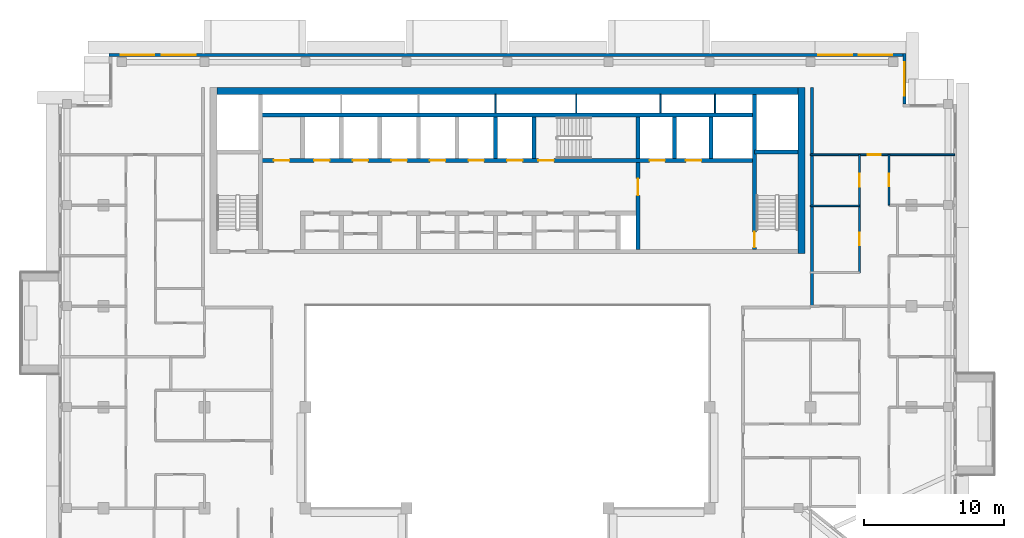
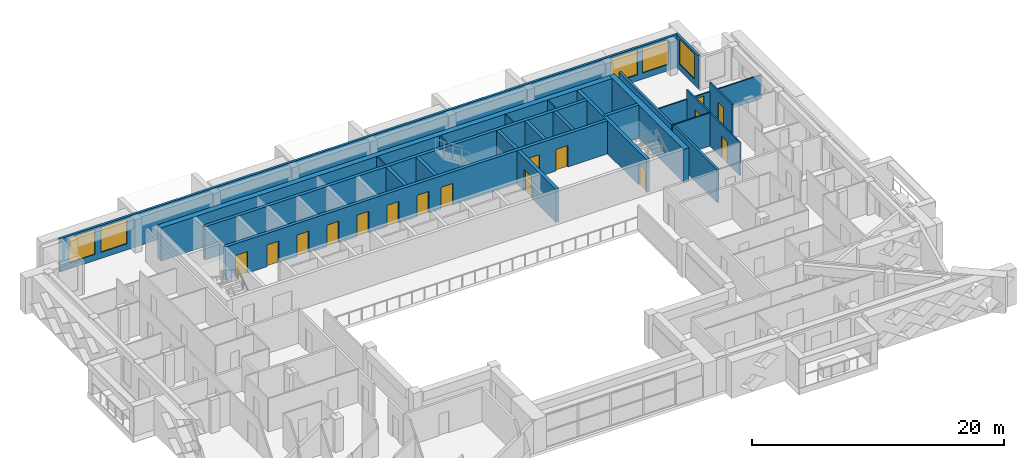
# One storey, part 11 of 19: 23 walls, 16 doors, 5 windows, 21 openings.
"""IFC4 building model written with IfcOpenShell, lengths in metres."""

from ifc_helpers import new_model, si_unit, direction, frame, frame_2d, origin, place, context, subcontext, project, spatial, rectangle, extrude, material, layer, layer_set, type_object, element, fill, save


model = new_model("IFC4")

# Units and contexts
model_context = context("Model", 3, precision=1e-05, world=origin(), true_north=direction((0.0, 1.0)))
body_context = subcontext(model_context, "Body", "Model", "MODEL_VIEW")
ifc_project = project(units=[si_unit("LENGTHUNIT", "METRE"), si_unit("AREAUNIT", "SQUARE_METRE"), si_unit("VOLUMEUNIT", "CUBIC_METRE"), si_unit("PLANEANGLEUNIT", "RADIAN"), si_unit("MASSUNIT", "GRAM", prefix="KILO")], contexts=[model_context])

# Site, building, storey
site_placement = place(None, origin())
site = spatial("IfcSite", under=ifc_project, at=site_placement, CompositionType="ELEMENT")
building_placement = place(site_placement, origin())
building = spatial("IfcBuilding", under=site, at=building_placement, Name="Saffron Iwan Residences", CompositionType="ELEMENT")
storey_placement = place(building_placement, frame((0.0, 0.0, 232.5)))
storey = spatial("IfcBuildingStorey", under=building, at=storey_placement, Name="L62", CompositionType="ELEMENT", Elevation=232.5)

# Wall, opening, window
ifc_material_1 = material(Name="Concrete C40/50", Category="concrete")
ifc_layer_1 = layer(ifc_material_1, 0.199951171875)
ifc_layer_set_1 = layer_set([ifc_layer_1], Name="Concrete C40/50")
wall_type_1 = type_object("IfcWallType", Name="EXTERNAL WALL 200", PredefinedType="SOLIDWALL", material=ifc_layer_set_1)
wall_1_placement = place(storey_placement, frame((78.699951171875, 76.800048828125, 0.0), z_axis=(0.0, 0.0, 1.0), x_axis=(0.0, 1.0, 0.0)))
wall_1 = element("IfcWall", 1, at=wall_1_placement, inside=storey, type_object=wall_type_1, Name="External wall L62 F4.0", PredefinedType="SOLIDWALL", context=body_context, shape_type="SweptSolid", body=[
    extrude(rectangle(XDim=3.599853515625, YDim=0.199951171875, at=frame_2d((1.7998046875, 0.0))), origin(), (0.0, 0.0, 1.0), 3.219970703125),
])
opening_1_placement = place(wall_1_placement, frame((0.60009765625, 0.0, 0.60009765625)))
opening_1 = element("IfcOpeningElement", 2, at=opening_1_placement, cuts=wall_1, Name="Opening W1", PredefinedType="OPENING", context=body_context, shape_type="SweptSolid", body=[
    extrude(rectangle(XDim=2.39990234375, YDim=2.39990234375, at=frame_2d((1.199951171875, 1.199951171875))), frame((0.0, 0.10986328125, 0.0), z_axis=(0.0, -1.0, 0.0), x_axis=(1.0, 0.0, 0.0)), (0.0, 0.0, 1.0), 0.219970703125),
])
ifc_material_2 = material(Name="Clear glass, laminated double glazed", Category="glass")
window_type = type_object("IfcWindowType", Name="WINDOW 2400 x 2400", PartitioningType="DOUBLE_PANEL_VERTICAL", PredefinedType="WINDOW", material=ifc_material_2)
window_1_placement = place(opening_1_placement, origin())
window_1 = element("IfcWindow", 3, at=window_1_placement, inside=storey, type_object=window_type, Name="Window L62 F4.0", OverallHeight=2.39990234375, OverallWidth=2.39990234375, PartitioningType="DOUBLE_PANEL_VERTICAL", PredefinedType="WINDOW", context=body_context, shape_type="SweptSolid", body=[
    extrude(rectangle(XDim=2.39990234375, YDim=2.39990234375, at=frame_2d((1.199951171875, 1.199951171875))), frame((0.0, 0.030029296875, 0.0), z_axis=(0.0, -1.0, 0.0), x_axis=(1.0, 0.0, 0.0)), (0.0, 0.0, 1.0), 0.06005859375),
])
fill(opening_1, window_1)

# Wall, openings, windows
wall_2_placement = place(storey_placement, frame((78.60009765625, 80.300048828125, 0.0), z_axis=(0.0, 0.0, 1.0), x_axis=(-1.0, 0.0, 0.0)))
wall_2 = element("IfcWall", 4, at=wall_2_placement, inside=storey, type_object=wall_type_1, Name="External wall L62 F5.0", PredefinedType="SOLIDWALL", context=body_context, shape_type="SweptSolid", body=[
    extrude(rectangle(XDim=56.60009765625, YDim=0.199951171875, at=frame_2d((28.300048828125, 0.0))), origin(), (0.0, 0.0, 1.0), 3.219970703125),
])
opening_2_placement = place(wall_2_placement, frame((50.433349609375, 0.0, 0.60009765625)))
opening_2 = element("IfcOpeningElement", 5, at=opening_2_placement, cuts=wall_2, Name="Opening W1", PredefinedType="OPENING", context=body_context, shape_type="SweptSolid", body=[
    extrude(rectangle(XDim=2.39990234375, YDim=2.39990234375, at=frame_2d((1.199951171875, 1.199951171875))), frame((0.0, 0.10986328125, 0.0), z_axis=(0.0, -1.0, 0.0), x_axis=(1.0, 0.0, 0.0)), (0.0, 0.0, 1.0), 0.219970703125),
])
opening_3_placement = place(wall_2_placement, frame((53.36669921875, 0.0, 0.60009765625)))
opening_3 = element("IfcOpeningElement", 6, at=opening_3_placement, cuts=wall_2, Name="Opening W1", PredefinedType="OPENING", context=body_context, shape_type="SweptSolid", body=[
    extrude(rectangle(XDim=2.39990234375, YDim=2.39990234375, at=frame_2d((1.199951171875, 1.199951171875))), frame((0.0, 0.10986328125, 0.0), z_axis=(0.0, -1.0, 0.0), x_axis=(1.0, 0.0, 0.0)), (0.0, 0.0, 1.0), 0.219970703125),
])
opening_4_placement = place(wall_2_placement, frame((0.7666015625, 0.0, 0.60009765625)))
opening_4 = element("IfcOpeningElement", 7, at=opening_4_placement, cuts=wall_2, Name="Opening W1", PredefinedType="OPENING", context=body_context, shape_type="SweptSolid", body=[
    extrude(rectangle(XDim=2.39990234375, YDim=2.39990234375, at=frame_2d((1.199951171875, 1.199951171875))), frame((0.0, 0.10986328125, 0.0), z_axis=(0.0, -1.0, 0.0), x_axis=(1.0, 0.0, 0.0)), (0.0, 0.0, 1.0), 0.219970703125),
])
opening_5_placement = place(wall_2_placement, frame((3.63330078125, 0.0, 0.60009765625)))
opening_5 = element("IfcOpeningElement", 8, at=opening_5_placement, cuts=wall_2, Name="Opening W1", PredefinedType="OPENING", context=body_context, shape_type="SweptSolid", body=[
    extrude(rectangle(XDim=2.39990234375, YDim=2.39990234375, at=frame_2d((1.199951171875, 1.199951171875))), frame((0.0, 0.10986328125, 0.0), z_axis=(0.0, -1.0, 0.0), x_axis=(1.0, 0.0, 0.0)), (0.0, 0.0, 1.0), 0.219970703125),
])
window_2_placement = place(opening_2_placement, origin())
window_2 = element("IfcWindow", 9, at=window_2_placement, inside=storey, type_object=window_type, Name="Window L62 F5.0", OverallHeight=2.39990234375, OverallWidth=2.39990234375, PartitioningType="DOUBLE_PANEL_VERTICAL", PredefinedType="WINDOW", context=body_context, shape_type="SweptSolid", body=[
    extrude(rectangle(XDim=2.39990234375, YDim=2.39990234375, at=frame_2d((1.199951171875, 1.199951171875))), frame((0.0, 0.030029296875, 0.0), z_axis=(0.0, -1.0, 0.0), x_axis=(1.0, 0.0, 0.0)), (0.0, 0.0, 1.0), 0.06005859375),
])
fill(opening_2, window_2)
window_3_placement = place(opening_3_placement, origin())
window_3 = element("IfcWindow", 10, at=window_3_placement, inside=storey, type_object=window_type, Name="Window L62 F5.1", OverallHeight=2.39990234375, OverallWidth=2.39990234375, PartitioningType="DOUBLE_PANEL_VERTICAL", PredefinedType="WINDOW", context=body_context, shape_type="SweptSolid", body=[
    extrude(rectangle(XDim=2.39990234375, YDim=2.39990234375, at=frame_2d((1.199951171875, 1.199951171875))), frame((0.0, 0.030029296875, 0.0), z_axis=(0.0, -1.0, 0.0), x_axis=(1.0, 0.0, 0.0)), (0.0, 0.0, 1.0), 0.06005859375),
])
fill(opening_3, window_3)
window_4_placement = place(opening_4_placement, origin())
window_4 = element("IfcWindow", 11, at=window_4_placement, inside=storey, type_object=window_type, Name="Window L62 F5.2", OverallHeight=2.39990234375, OverallWidth=2.39990234375, PartitioningType="DOUBLE_PANEL_VERTICAL", PredefinedType="WINDOW", context=body_context, shape_type="SweptSolid", body=[
    extrude(rectangle(XDim=2.39990234375, YDim=2.39990234375, at=frame_2d((1.199951171875, 1.199951171875))), frame((0.0, 0.030029296875, 0.0), z_axis=(0.0, -1.0, 0.0), x_axis=(1.0, 0.0, 0.0)), (0.0, 0.0, 1.0), 0.06005859375),
])
fill(opening_4, window_4)
window_5_placement = place(opening_5_placement, origin())
window_5 = element("IfcWindow", 12, at=window_5_placement, inside=storey, type_object=window_type, Name="Window L62 F5.3", OverallHeight=2.39990234375, OverallWidth=2.39990234375, PartitioningType="DOUBLE_PANEL_VERTICAL", PredefinedType="WINDOW", context=body_context, shape_type="SweptSolid", body=[
    extrude(rectangle(XDim=2.39990234375, YDim=2.39990234375, at=frame_2d((1.199951171875, 1.199951171875))), frame((0.0, 0.030029296875, 0.0), z_axis=(0.0, -1.0, 0.0), x_axis=(1.0, 0.0, 0.0)), (0.0, 0.0, 1.0), 0.06005859375),
])
fill(opening_5, window_5)

# Wall
ifc_material_3 = material(Name="Gypsum board partition")
ifc_layer_2 = layer(ifc_material_3, 0.1201171875)
ifc_layer_set_2 = layer_set([ifc_layer_2], Name="Gypsum board partition")
wall_type_2 = type_object("IfcWallType", Name="Flat partition 120", PredefinedType="PARTITIONING", material=ifc_layer_set_2)
wall_3_placement = place(storey_placement, frame((72.0, 69.550048828125, 0.0), z_axis=(0.0, 0.0, 1.0), x_axis=(1.0, 0.0, 0.0)))
element("IfcWall", 13, at=wall_3_placement, inside=storey, type_object=wall_type_2, Name="W-L62-PART-h69.55-72", PredefinedType="PARTITIONING", context=body_context, shape_type="SweptSolid", body=[
    extrude(rectangle(XDim=3.5, YDim=0.1201171875, at=frame_2d((1.75, 0.0))), origin(), (0.0, 0.0, 1.0), 3.219970703125),
])

# Wall, opening, door
wall_4_placement = place(storey_placement, frame((72.0, 73.199951171875, 0.0), z_axis=(0.0, 0.0, 1.0), x_axis=(1.0, 0.0, 0.0)))
wall_4 = element("IfcWall", 14, at=wall_4_placement, inside=storey, type_object=wall_type_2, Name="W-L62-PART-h73.2-72", PredefinedType="PARTITIONING", context=body_context, shape_type="SweptSolid", body=[
    extrude(rectangle(XDim=10.27490234375, YDim=0.1201171875, at=frame_2d((5.137451171875, 0.0))), origin(), (0.0, 0.0, 1.0), 2.320068359375),
])
opening_6_placement = place(wall_4_placement, frame((4.10009765625, 0.0, 0.0)))
opening_6 = element("IfcOpeningElement", 15, at=opening_6_placement, cuts=wall_4, Name="Opening FD2", PredefinedType="OPENING", context=body_context, shape_type="SweptSolid", body=[
    extrude(rectangle(XDim=0.89990234375, YDim=2.10009765625, at=frame_2d((0.449951171875, 1.050048828125))), frame((0.0, 0.070068359375, 0.0), z_axis=(0.0, -1.0, 0.0), x_axis=(1.0, 0.0, 0.0)), (0.0, 0.0, 1.0), 0.14013671875),
])
ifc_material_4 = material(Name="Timber door", Category="wood")
door_type_1 = type_object("IfcDoorType", Name="Flat door 900", OperationType="NOTDEFINED", PredefinedType="DOOR", material=ifc_material_4)
door_1_placement = place(opening_6_placement, origin())
door_1 = element("IfcDoor", 16, at=door_1_placement, inside=storey, type_object=door_type_1, Name="Door L62-038", OperationType="SINGLE_SWING_RIGHT", OverallHeight=2.10009765625, OverallWidth=0.89990234375, PredefinedType="DOOR", context=body_context, shape_type="SweptSolid", body=[
    extrude(rectangle(XDim=0.89990234375, YDim=2.10009765625, at=frame_2d((0.449951171875, 1.050048828125))), frame((0.0, 0.02490234375, 0.0), z_axis=(0.0, -1.0, 0.0), x_axis=(1.0, 0.0, 0.0)), (0.0, 0.0, 1.0), 0.050048828125),
])
fill(opening_6, door_1)

# Wall, openings, doors
wall_5_placement = place(storey_placement, frame((75.5, 64.800048828125, 0.0), z_axis=(0.0, 0.0, 1.0), x_axis=(0.0, 1.0, 0.0)))
wall_5 = element("IfcWall", 17, at=wall_5_placement, inside=storey, type_object=wall_type_2, Name="W-L62-PART-v75.5-64.8", PredefinedType="PARTITIONING", context=body_context, shape_type="SweptSolid", body=[
    extrude(rectangle(XDim=8.39990234375, YDim=0.1201171875, at=frame_2d((4.199951171875, 0.0))), origin(), (0.0, 0.0, 1.0), 3.219970703125),
])
opening_7_placement = place(wall_5_placement, frame((1.925048828125, 0.0, 0.0)))
opening_7 = element("IfcOpeningElement", 18, at=opening_7_placement, cuts=wall_5, Name="Opening FD2", PredefinedType="OPENING", context=body_context, shape_type="SweptSolid", body=[
    extrude(rectangle(XDim=0.89990234375, YDim=2.10009765625, at=frame_2d((0.449951171875, 1.050048828125))), frame((0.0, 0.070068359375, 0.0), z_axis=(0.0, -1.0, 0.0), x_axis=(1.0, 0.0, 0.0)), (0.0, 0.0, 1.0), 0.14013671875),
])
opening_8_placement = place(wall_5_placement, frame((6.125, 0.0, 0.0)))
opening_8 = element("IfcOpeningElement", 19, at=opening_8_placement, cuts=wall_5, Name="Opening FD2", PredefinedType="OPENING", context=body_context, shape_type="SweptSolid", body=[
    extrude(rectangle(XDim=0.89990234375, YDim=2.10009765625, at=frame_2d((0.449951171875, 1.050048828125))), frame((0.0, 0.070068359375, 0.0), z_axis=(0.0, -1.0, 0.0), x_axis=(1.0, 0.0, 0.0)), (0.0, 0.0, 1.0), 0.14013671875),
])
door_2_placement = place(opening_7_placement, origin())
door_2 = element("IfcDoor", 20, at=door_2_placement, inside=storey, type_object=door_type_1, Name="Door L62-039", OperationType="SINGLE_SWING_LEFT", OverallHeight=2.10009765625, OverallWidth=0.89990234375, PredefinedType="DOOR", context=body_context, shape_type="SweptSolid", body=[
    extrude(rectangle(XDim=0.89990234375, YDim=2.10009765625, at=frame_2d((0.449951171875, 1.050048828125))), frame((0.0, 0.02490234375, 0.0), z_axis=(0.0, -1.0, 0.0), x_axis=(1.0, 0.0, 0.0)), (0.0, 0.0, 1.0), 0.050048828125),
])
fill(opening_7, door_2)
door_3_placement = place(opening_8_placement, origin())
door_3 = element("IfcDoor", 21, at=door_3_placement, inside=storey, type_object=door_type_1, Name="Door L62-040", OperationType="SINGLE_SWING_LEFT", OverallHeight=2.10009765625, OverallWidth=0.89990234375, PredefinedType="DOOR", context=body_context, shape_type="SweptSolid", body=[
    extrude(rectangle(XDim=0.89990234375, YDim=2.10009765625, at=frame_2d((0.449951171875, 1.050048828125))), frame((0.0, 0.02490234375, 0.0), z_axis=(0.0, -1.0, 0.0), x_axis=(1.0, 0.0, 0.0)), (0.0, 0.0, 1.0), 0.050048828125),
])
fill(opening_8, door_3)

# Wall, opening, door
wall_6_placement = place(storey_placement, frame((77.60009765625, 69.60009765625, 0.0), z_axis=(0.0, 0.0, 1.0), x_axis=(0.0, 1.0, 0.0)))
wall_6 = element("IfcWall", 22, at=wall_6_placement, inside=storey, type_object=wall_type_2, Name="W-L62-PART-v77.6-69.6", PredefinedType="PARTITIONING", context=body_context, shape_type="SweptSolid", body=[
    extrude(rectangle(XDim=3.599853515625, YDim=0.1201171875, at=frame_2d((1.7998046875, 0.0))), origin(), (0.0, 0.0, 1.0), 3.219970703125),
])
opening_9_placement = place(wall_6_placement, frame((1.35009765625, 0.0, 0.0)))
opening_9 = element("IfcOpeningElement", 23, at=opening_9_placement, cuts=wall_6, Name="Opening FD2", PredefinedType="OPENING", context=body_context, shape_type="SweptSolid", body=[
    extrude(rectangle(XDim=0.89990234375, YDim=2.10009765625, at=frame_2d((0.449951171875, 1.050048828125))), frame((0.0, 0.070068359375, 0.0), z_axis=(0.0, -1.0, 0.0), x_axis=(1.0, 0.0, 0.0)), (0.0, 0.0, 1.0), 0.14013671875),
])
door_4_placement = place(opening_9_placement, origin())
door_4 = element("IfcDoor", 24, at=door_4_placement, inside=storey, type_object=door_type_1, Name="Door L62-037", OperationType="SINGLE_SWING_LEFT", OverallHeight=2.10009765625, OverallWidth=0.89990234375, PredefinedType="DOOR", context=body_context, shape_type="SweptSolid", body=[
    extrude(rectangle(XDim=0.89990234375, YDim=2.10009765625, at=frame_2d((0.449951171875, 1.050048828125))), frame((0.0, 0.02490234375, 0.0), z_axis=(0.0, -1.0, 0.0), x_axis=(1.0, 0.0, 0.0)), (0.0, 0.0, 1.0), 0.050048828125),
])
fill(opening_9, door_4)

# Walls
ifc_material_5 = material(Name="Fire-rated gypsum board wall")
ifc_layer_3 = layer(ifc_material_5, 0.199951171875)
ifc_layer_set_3 = layer_set([ifc_layer_3], Name="Fire-rated gypsum board wall")
wall_type_3 = type_object("IfcWallType", Name="Gallery wall 200", PredefinedType="SOLIDWALL", material=ifc_layer_set_3)
wall_7_placement = place(storey_placement, frame((72.10009765625, 62.39990234375, 0.0), z_axis=(0.0, 0.0, 1.0), x_axis=(0.0, 1.0, 0.0)))
element("IfcWall", 25, at=wall_7_placement, inside=storey, type_object=wall_type_3, Name="W-L62-CORR-v72-62.4", PredefinedType="SOLIDWALL", context=body_context, shape_type="SweptSolid", body=[
    extrude(rectangle(XDim=15.60009765625, YDim=0.199951171875, at=frame_2d((7.800048828125, 0.0))), origin(), (0.0, 0.0, 1.0), 3.219970703125),
])
ifc_material_6 = material(Name="Fire-rated plasterboard partition")
ifc_layer_4 = layer(ifc_material_6, 0.10009765625)
ifc_layer_set_4 = layer_set([ifc_layer_4], Name="Fire-rated plasterboard partition")
wall_type_4 = type_object("IfcWallType", Name="Riser partition 100", PredefinedType="PARTITIONING", material=ifc_layer_set_4)
for number, where, z_axis, x_axis, name in (
    (26, (49.550048828125, 76.175048828125, 0.0), (0.0, 0.0, 1.0), (0.0, 1.0, 0.0), "Core partition P10"),
    (27, (55.300048828125, 76.175048828125, 0.0), (0.0, 0.0, 1.0), (0.0, 1.0, 0.0), "Core partition P11"),
    (28, (61.300048828125, 76.175048828125, 0.0), (0.0, 0.0, 1.0), (0.0, 1.0, 0.0), "Core partition P12"),
    (29, (65.199951171875, 76.175048828125, 0.0), (0.0, 0.0, 1.0), (0.0, 1.0, 0.0), "Core partition P13"),
):
    element("IfcWall", number, at=place(storey_placement, frame(where, z_axis=z_axis, x_axis=x_axis)), inside=storey, type_object=wall_type_4, Name=name, PredefinedType="PARTITIONING", context=body_context, shape_type="SweptSolid", body=[
        extrude(rectangle(XDim=1.324951171875, YDim=0.10009765625, at=frame_2d((0.66259765625, 0.0))), origin(), (0.0, 0.0, 1.0), 3.219970703125),
    ])

# Wall, openings, doors
ifc_layer_5 = layer(ifc_material_1, 0.300048828125)
ifc_layer_set_5 = layer_set([ifc_layer_5], Name="Concrete C40/50")
wall_type_5 = type_object("IfcWallType", Name="WALL CORE 300 C40/50 3220 HIGH", PredefinedType="SHEAR", material=ifc_layer_set_5)
wall_8_placement = place(storey_placement, frame((32.800048828125, 72.77490234375, 0.0), z_axis=(0.0, 0.0, 1.0), x_axis=(1.0, 0.0, 0.0)))
wall_8 = element("IfcWall", 30, at=wall_8_placement, inside=storey, type_object=wall_type_5, Name="Core wall", PredefinedType="SHEAR", context=body_context, shape_type="SweptSolid", body=[
    extrude(rectangle(XDim=35.199951171875, YDim=0.300048828125, at=frame_2d((17.60009765625, 0.0))), origin(), (0.0, 0.0, 1.0), 3.219970703125),
])
opening_10_placement = place(wall_8_placement, frame((19.800048828125, 0.0, 0.0)))
opening_10 = element("IfcOpeningElement", 31, at=opening_10_placement, cuts=wall_8, Name="Opening SD", PredefinedType="OPENING", context=body_context, shape_type="SweptSolid", body=[
    extrude(rectangle(XDim=1.10009765625, YDim=2.10009765625, at=frame_2d((0.550048828125, 1.050048828125))), frame((0.0, 0.16015625, 0.0), z_axis=(0.0, -1.0, 0.0), x_axis=(1.0, 0.0, 0.0)), (0.0, 0.0, 1.0), 0.320068359375),
])
opening_11_placement = place(wall_8_placement, frame((27.72509765625, 0.0, 0.0)))
opening_11 = element("IfcOpeningElement", 32, at=opening_11_placement, cuts=wall_8, Name="Opening LD", PredefinedType="OPENING", context=body_context, shape_type="SweptSolid", body=[
    extrude(rectangle(XDim=1.10009765625, YDim=2.10009765625, at=frame_2d((0.550048828125, 1.050048828125))), frame((0.0, 0.16015625, 0.0), z_axis=(0.0, -1.0, 0.0), x_axis=(1.0, 0.0, 0.0)), (0.0, 0.0, 1.0), 0.320068359375),
])
opening_12_placement = place(wall_8_placement, frame((30.324951171875, 0.0, 0.0)))
opening_12 = element("IfcOpeningElement", 33, at=opening_12_placement, cuts=wall_8, Name="Opening LD", PredefinedType="OPENING", context=body_context, shape_type="SweptSolid", body=[
    extrude(rectangle(XDim=1.10009765625, YDim=2.10009765625, at=frame_2d((0.550048828125, 1.050048828125))), frame((0.0, 0.16015625, 0.0), z_axis=(0.0, -1.0, 0.0), x_axis=(1.0, 0.0, 0.0)), (0.0, 0.0, 1.0), 0.320068359375),
])
opening_13_placement = place(wall_8_placement, frame((3.824951171875, 0.0, 0.0)))
opening_13 = element("IfcOpeningElement", 34, at=opening_13_placement, cuts=wall_8, Name="Opening LD", PredefinedType="OPENING", context=body_context, shape_type="SweptSolid", body=[
    extrude(rectangle(XDim=1.10009765625, YDim=2.10009765625, at=frame_2d((0.550048828125, 1.050048828125))), frame((0.0, 0.16015625, 0.0), z_axis=(0.0, -1.0, 0.0), x_axis=(1.0, 0.0, 0.0)), (0.0, 0.0, 1.0), 0.320068359375),
])
opening_14_placement = place(wall_8_placement, frame((6.574951171875, 0.0, 0.0)))
opening_14 = element("IfcOpeningElement", 35, at=opening_14_placement, cuts=wall_8, Name="Opening LD", PredefinedType="OPENING", context=body_context, shape_type="SweptSolid", body=[
    extrude(rectangle(XDim=1.10009765625, YDim=2.10009765625, at=frame_2d((0.550048828125, 1.050048828125))), frame((0.0, 0.16015625, 0.0), z_axis=(0.0, -1.0, 0.0), x_axis=(1.0, 0.0, 0.0)), (0.0, 0.0, 1.0), 0.320068359375),
])
opening_15_placement = place(wall_8_placement, frame((9.324951171875, 0.0, 0.0)))
opening_15 = element("IfcOpeningElement", 36, at=opening_15_placement, cuts=wall_8, Name="Opening LD", PredefinedType="OPENING", context=body_context, shape_type="SweptSolid", body=[
    extrude(rectangle(XDim=1.10009765625, YDim=2.10009765625, at=frame_2d((0.550048828125, 1.050048828125))), frame((0.0, 0.16015625, 0.0), z_axis=(0.0, -1.0, 0.0), x_axis=(1.0, 0.0, 0.0)), (0.0, 0.0, 1.0), 0.320068359375),
])
opening_16_placement = place(wall_8_placement, frame((12.074951171875, 0.0, 0.0)))
opening_16 = element("IfcOpeningElement", 37, at=opening_16_placement, cuts=wall_8, Name="Opening LD", PredefinedType="OPENING", context=body_context, shape_type="SweptSolid", body=[
    extrude(rectangle(XDim=1.10009765625, YDim=2.10009765625, at=frame_2d((0.550048828125, 1.050048828125))), frame((0.0, 0.16015625, 0.0), z_axis=(0.0, -1.0, 0.0), x_axis=(1.0, 0.0, 0.0)), (0.0, 0.0, 1.0), 0.320068359375),
])
opening_17_placement = place(wall_8_placement, frame((14.824951171875, 0.0, 0.0)))
opening_17 = element("IfcOpeningElement", 38, at=opening_17_placement, cuts=wall_8, Name="Opening LD", PredefinedType="OPENING", context=body_context, shape_type="SweptSolid", body=[
    extrude(rectangle(XDim=1.10009765625, YDim=2.10009765625, at=frame_2d((0.550048828125, 1.050048828125))), frame((0.0, 0.16015625, 0.0), z_axis=(0.0, -1.0, 0.0), x_axis=(1.0, 0.0, 0.0)), (0.0, 0.0, 1.0), 0.320068359375),
])
opening_18_placement = place(wall_8_placement, frame((17.574951171875, 0.0, 0.0)))
opening_18 = element("IfcOpeningElement", 39, at=opening_18_placement, cuts=wall_8, Name="Opening LD", PredefinedType="OPENING", context=body_context, shape_type="SweptSolid", body=[
    extrude(rectangle(XDim=1.10009765625, YDim=2.10009765625, at=frame_2d((0.550048828125, 1.050048828125))), frame((0.0, 0.16015625, 0.0), z_axis=(0.0, -1.0, 0.0), x_axis=(1.0, 0.0, 0.0)), (0.0, 0.0, 1.0), 0.320068359375),
])
opening_19_placement = place(wall_8_placement, frame((0.949951171875, 0.0, 0.0)))
opening_19 = element("IfcOpeningElement", 40, at=opening_19_placement, cuts=wall_8, Name="Opening SR", PredefinedType="OPENING", context=body_context, shape_type="SweptSolid", body=[
    extrude(rectangle(XDim=1.10009765625, YDim=2.10009765625, at=frame_2d((0.550048828125, 1.050048828125))), frame((0.0, 0.16015625, 0.0), z_axis=(0.0, -1.0, 0.0), x_axis=(1.0, 0.0, 0.0)), (0.0, 0.0, 1.0), 0.320068359375),
])
ifc_material_7 = material(Name="Steel fire door", Category="steel")
door_type_2 = type_object("IfcDoorType", Name="Lift landing door 1100", OperationType="SLIDING_TO_LEFT", PredefinedType="DOOR", material=ifc_material_7)
door_5_placement = place(opening_11_placement, origin())
door_5 = element("IfcDoor", 41, at=door_5_placement, inside=storey, type_object=door_type_2, Name="Landing doors FF1", OperationType="SLIDING_TO_LEFT", OverallHeight=2.10009765625, OverallWidth=1.10009765625, PredefinedType="DOOR", context=body_context, shape_type="SweptSolid", body=[
    extrude(rectangle(XDim=1.10009765625, YDim=2.10009765625, at=frame_2d((0.550048828125, 1.050048828125))), frame((0.0, 0.02490234375, 0.0), z_axis=(0.0, -1.0, 0.0), x_axis=(1.0, 0.0, 0.0)), (0.0, 0.0, 1.0), 0.050048828125),
])
fill(opening_11, door_5)
door_6_placement = place(opening_12_placement, origin())
door_6 = element("IfcDoor", 42, at=door_6_placement, inside=storey, type_object=door_type_2, Name="Landing doors FF2", OperationType="SLIDING_TO_LEFT", OverallHeight=2.10009765625, OverallWidth=1.10009765625, PredefinedType="DOOR", context=body_context, shape_type="SweptSolid", body=[
    extrude(rectangle(XDim=1.10009765625, YDim=2.10009765625, at=frame_2d((0.550048828125, 1.050048828125))), frame((0.0, 0.02490234375, 0.0), z_axis=(0.0, -1.0, 0.0), x_axis=(1.0, 0.0, 0.0)), (0.0, 0.0, 1.0), 0.050048828125),
])
fill(opening_12, door_6)
door_7_placement = place(opening_13_placement, origin())
door_7 = element("IfcDoor", 43, at=door_7_placement, inside=storey, type_object=door_type_2, Name="Landing doors HR1", OperationType="SLIDING_TO_LEFT", OverallHeight=2.10009765625, OverallWidth=1.10009765625, PredefinedType="DOOR", context=body_context, shape_type="SweptSolid", body=[
    extrude(rectangle(XDim=1.10009765625, YDim=2.10009765625, at=frame_2d((0.550048828125, 1.050048828125))), frame((0.0, 0.02490234375, 0.0), z_axis=(0.0, -1.0, 0.0), x_axis=(1.0, 0.0, 0.0)), (0.0, 0.0, 1.0), 0.050048828125),
])
fill(opening_13, door_7)
door_8_placement = place(opening_14_placement, origin())
door_8 = element("IfcDoor", 44, at=door_8_placement, inside=storey, type_object=door_type_2, Name="Landing doors HR2", OperationType="SLIDING_TO_LEFT", OverallHeight=2.10009765625, OverallWidth=1.10009765625, PredefinedType="DOOR", context=body_context, shape_type="SweptSolid", body=[
    extrude(rectangle(XDim=1.10009765625, YDim=2.10009765625, at=frame_2d((0.550048828125, 1.050048828125))), frame((0.0, 0.02490234375, 0.0), z_axis=(0.0, -1.0, 0.0), x_axis=(1.0, 0.0, 0.0)), (0.0, 0.0, 1.0), 0.050048828125),
])
fill(opening_14, door_8)
door_9_placement = place(opening_15_placement, origin())
door_9 = element("IfcDoor", 45, at=door_9_placement, inside=storey, type_object=door_type_2, Name="Landing doors HR3", OperationType="SLIDING_TO_LEFT", OverallHeight=2.10009765625, OverallWidth=1.10009765625, PredefinedType="DOOR", context=body_context, shape_type="SweptSolid", body=[
    extrude(rectangle(XDim=1.10009765625, YDim=2.10009765625, at=frame_2d((0.550048828125, 1.050048828125))), frame((0.0, 0.02490234375, 0.0), z_axis=(0.0, -1.0, 0.0), x_axis=(1.0, 0.0, 0.0)), (0.0, 0.0, 1.0), 0.050048828125),
])
fill(opening_15, door_9)
door_10_placement = place(opening_16_placement, origin())
door_10 = element("IfcDoor", 46, at=door_10_placement, inside=storey, type_object=door_type_2, Name="Landing doors HR4", OperationType="SLIDING_TO_LEFT", OverallHeight=2.10009765625, OverallWidth=1.10009765625, PredefinedType="DOOR", context=body_context, shape_type="SweptSolid", body=[
    extrude(rectangle(XDim=1.10009765625, YDim=2.10009765625, at=frame_2d((0.550048828125, 1.050048828125))), frame((0.0, 0.02490234375, 0.0), z_axis=(0.0, -1.0, 0.0), x_axis=(1.0, 0.0, 0.0)), (0.0, 0.0, 1.0), 0.050048828125),
])
fill(opening_16, door_10)
door_11_placement = place(opening_17_placement, origin())
door_11 = element("IfcDoor", 47, at=door_11_placement, inside=storey, type_object=door_type_2, Name="Landing doors HR5", OperationType="SLIDING_TO_LEFT", OverallHeight=2.10009765625, OverallWidth=1.10009765625, PredefinedType="DOOR", context=body_context, shape_type="SweptSolid", body=[
    extrude(rectangle(XDim=1.10009765625, YDim=2.10009765625, at=frame_2d((0.550048828125, 1.050048828125))), frame((0.0, 0.02490234375, 0.0), z_axis=(0.0, -1.0, 0.0), x_axis=(1.0, 0.0, 0.0)), (0.0, 0.0, 1.0), 0.050048828125),
])
fill(opening_17, door_11)
door_12_placement = place(opening_18_placement, origin())
door_12 = element("IfcDoor", 48, at=door_12_placement, inside=storey, type_object=door_type_2, Name="Landing doors HR6", OperationType="SLIDING_TO_LEFT", OverallHeight=2.10009765625, OverallWidth=1.10009765625, PredefinedType="DOOR", context=body_context, shape_type="SweptSolid", body=[
    extrude(rectangle(XDim=1.10009765625, YDim=2.10009765625, at=frame_2d((0.550048828125, 1.050048828125))), frame((0.0, 0.02490234375, 0.0), z_axis=(0.0, -1.0, 0.0), x_axis=(1.0, 0.0, 0.0)), (0.0, 0.0, 1.0), 0.050048828125),
])
fill(opening_18, door_12)
door_type_3 = type_object("IfcDoorType", Name="Service door 1100", OperationType="NOTDEFINED", PredefinedType="DOOR", material=ifc_material_7)
door_13_placement = place(opening_19_placement, origin())
door_13 = element("IfcDoor", 49, at=door_13_placement, inside=storey, type_object=door_type_3, Name="Door Caretaker's room", OperationType="SINGLE_SWING_LEFT", OverallHeight=2.10009765625, OverallWidth=1.10009765625, PredefinedType="DOOR", context=body_context, shape_type="SweptSolid", body=[
    extrude(rectangle(XDim=1.10009765625, YDim=2.10009765625, at=frame_2d((0.550048828125, 1.050048828125))), frame((0.0, 0.02490234375, 0.0), z_axis=(0.0, -1.0, 0.0), x_axis=(1.0, 0.0, 0.0)), (0.0, 0.0, 1.0), 0.050048828125),
])
fill(opening_19, door_13)
door_type_4 = type_object("IfcDoorType", Name="Stair door 1100", OperationType="NOTDEFINED", PredefinedType="DOOR", material=ifc_material_7)
door_14_placement = place(opening_10_placement, origin())
door_14 = element("IfcDoor", 50, at=door_14_placement, inside=storey, type_object=door_type_4, Name="Stair door ST-C", OperationType="SINGLE_SWING_LEFT", OverallHeight=2.10009765625, OverallWidth=1.10009765625, PredefinedType="DOOR", context=body_context, shape_type="SweptSolid", body=[
    extrude(rectangle(XDim=1.10009765625, YDim=2.10009765625, at=frame_2d((0.550048828125, 1.050048828125))), frame((0.0, 0.02490234375, 0.0), z_axis=(0.0, -1.0, 0.0), x_axis=(1.0, 0.0, 0.0)), (0.0, 0.0, 1.0), 0.050048828125),
])
fill(opening_10, door_14)

# Walls
wall_9_placement = place(storey_placement, frame((32.800048828125, 76.02490234375, 0.0), z_axis=(0.0, 0.0, 1.0), x_axis=(1.0, 0.0, 0.0)))
element("IfcWall", 51, at=wall_9_placement, inside=storey, type_object=wall_type_5, Name="Core wall", PredefinedType="SHEAR", context=body_context, shape_type="SweptSolid", body=[
    extrude(rectangle(XDim=35.199951171875, YDim=0.300048828125, at=frame_2d((17.60009765625, 0.0))), origin(), (0.0, 0.0, 1.0), 3.219970703125),
])
wall_10_placement = place(storey_placement, frame((68.0, 73.39990234375, 0.0), z_axis=(0.0, 0.0, 1.0), x_axis=(1.0, 0.0, 0.0)))
element("IfcWall", 52, at=wall_10_placement, inside=storey, type_object=wall_type_5, Name="Core wall", PredefinedType="SHEAR", context=body_context, shape_type="SweptSolid", body=[
    extrude(rectangle(XDim=3.10009765625, YDim=0.300048828125, at=frame_2d((1.550048828125, 0.0))), origin(), (0.0, 0.0, 1.0), 3.219970703125),
])

# Wall, opening, door
wall_11_placement = place(storey_placement, frame((68.0, 66.449951171875, 0.0), z_axis=(0.0, 0.0, 1.0), x_axis=(0.0, 1.0, 0.0)))
wall_11 = element("IfcWall", 53, at=wall_11_placement, inside=storey, type_object=wall_type_5, Name="Core wall", PredefinedType="SHEAR", context=body_context, shape_type="SweptSolid", body=[
    extrude(rectangle(XDim=11.050048828125, YDim=0.300048828125, at=frame_2d((5.52490234375, 0.0))), origin(), (0.0, 0.0, 1.0), 3.219970703125),
])
opening_20_placement = place(wall_11_placement, frame((0.14990234375, 0.0, 0.0)))
opening_20 = element("IfcOpeningElement", 54, at=opening_20_placement, cuts=wall_11, Name="Opening SD", PredefinedType="OPENING", context=body_context, shape_type="SweptSolid", body=[
    extrude(rectangle(XDim=1.10009765625, YDim=2.10009765625, at=frame_2d((0.550048828125, 1.050048828125))), frame((0.0, 0.16015625, 0.0), z_axis=(0.0, -1.0, 0.0), x_axis=(1.0, 0.0, 0.0)), (0.0, 0.0, 1.0), 0.320068359375),
])
door_15_placement = place(opening_20_placement, origin())
door_15 = element("IfcDoor", 55, at=door_15_placement, inside=storey, type_object=door_type_4, Name="Stair door ST-E", OperationType="SINGLE_SWING_RIGHT", OverallHeight=2.10009765625, OverallWidth=1.10009765625, PredefinedType="DOOR", context=body_context, shape_type="SweptSolid", body=[
    extrude(rectangle(XDim=1.10009765625, YDim=2.10009765625, at=frame_2d((0.550048828125, 1.050048828125))), frame((0.0, 0.02490234375, 0.0), z_axis=(0.0, -1.0, 0.0), x_axis=(1.0, 0.0, 0.0)), (0.0, 0.0, 1.0), 0.050048828125),
])
fill(opening_20, door_15)

wall_12_placement = place(storey_placement, frame((59.699951171875, 66.449951171875, 0.0), z_axis=(0.0, 0.0, 1.0), x_axis=(0.0, 1.0, 0.0)))
wall_12 = element("IfcWall", 56, at=wall_12_placement, inside=storey, type_object=wall_type_5, Name="Core wall", PredefinedType="SHEAR", context=body_context, shape_type="SweptSolid", body=[
    extrude(rectangle(XDim=6.175048828125, YDim=0.300048828125, at=frame_2d((3.08740234375, 0.0))), origin(), (0.0, 0.0, 1.0), 3.219970703125),
])
opening_21_placement = place(wall_12_placement, frame((3.85009765625, 0.0, 0.0)))
opening_21 = element("IfcOpeningElement", 57, at=opening_21_placement, cuts=wall_12, Name="Opening FD", PredefinedType="OPENING", context=body_context, shape_type="SweptSolid", body=[
    extrude(rectangle(XDim=1.199951171875, YDim=2.10009765625, at=frame_2d((0.60009765625, 1.050048828125))), frame((0.0, 0.16015625, 0.0), z_axis=(0.0, -1.0, 0.0), x_axis=(1.0, 0.0, 0.0)), (0.0, 0.0, 1.0), 0.320068359375),
])
door_type_5 = type_object("IfcDoorType", Name="Firefighting lobby door 1200", OperationType="NOTDEFINED", PredefinedType="DOOR", material=ifc_material_7)
door_16_placement = place(opening_21_placement, origin())
door_16 = element("IfcDoor", 58, at=door_16_placement, inside=storey, type_object=door_type_5, Name="Firefighting lobby door", OperationType="SINGLE_SWING_LEFT", OverallHeight=2.10009765625, OverallWidth=1.199951171875, PredefinedType="DOOR", context=body_context, shape_type="SweptSolid", body=[
    extrude(rectangle(XDim=1.199951171875, YDim=2.10009765625, at=frame_2d((0.60009765625, 1.050048828125))), frame((0.0, 0.02490234375, 0.0), z_axis=(0.0, -1.0, 0.0), x_axis=(1.0, 0.0, 0.0)), (0.0, 0.0, 1.0), 0.050048828125),
])
fill(opening_21, door_16)

# Walls
for number, where, z_axis, x_axis, name in (
    (59, (59.699951171875, 72.925048828125, 0.0), (0.0, 0.0, 1.0), (0.0, 1.0, 0.0), "Core wall"),
    (60, (49.550048828125, 72.925048828125, 0.0), (0.0, 0.0, 1.0), (0.0, 1.0, 0.0), "Core wall"),
    (61, (52.300048828125, 72.925048828125, 0.0), (0.0, 0.0, 1.0), (0.0, 1.0, 0.0), "Core wall"),
    (62, (62.300048828125, 72.925048828125, 0.0), (0.0, 0.0, 1.0), (0.0, 1.0, 0.0), "Core wall"),
    (63, (64.89990234375, 72.925048828125, 0.0), (0.0, 0.0, 1.0), (0.0, 1.0, 0.0), "Core wall"),
):
    element("IfcWall", number, at=place(storey_placement, frame(where, z_axis=z_axis, x_axis=x_axis)), inside=storey, type_object=wall_type_5, Name=name, PredefinedType="SHEAR", context=body_context, shape_type="SweptSolid", body=[
        extrude(rectangle(XDim=2.949951171875, YDim=0.300048828125, at=frame_2d((1.47509765625, 0.0))), origin(), (0.0, 0.0, 1.0), 3.219970703125),
    ])
ifc_layer_6 = layer(ifc_material_1, 0.5)
ifc_layer_set_6 = layer_set([ifc_layer_6], Name="Concrete C40/50")
wall_type_6 = type_object("IfcWallType", Name="WALL CORE 500 C40/50 3220 HIGH", PredefinedType="SHEAR", material=ifc_layer_set_6)
wall_13_placement = place(storey_placement, frame((71.35009765625, 66.14990234375, 0.0), z_axis=(0.0, 0.0, 1.0), x_axis=(0.0, 1.0, 0.0)))
element("IfcWall", 64, at=wall_13_placement, inside=storey, type_object=wall_type_6, Name="Core wall", PredefinedType="SHEAR", context=body_context, shape_type="SweptSolid", body=[
    extrude(rectangle(XDim=11.85009765625, YDim=0.5, at=frame_2d((5.925048828125, 0.0))), origin(), (0.0, 0.0, 1.0), 3.219970703125),
])
wall_14_placement = place(storey_placement, frame((29.699951171875, 77.75, 0.0), z_axis=(0.0, 0.0, 1.0), x_axis=(1.0, 0.0, 0.0)))
element("IfcWall", 65, at=wall_14_placement, inside=storey, type_object=wall_type_6, Name="Core wall", PredefinedType="SHEAR", context=body_context, shape_type="SweptSolid", body=[
    extrude(rectangle(XDim=41.400146484375, YDim=0.5, at=frame_2d((20.7001953125, 0.0))), origin(), (0.0, 0.0, 1.0), 3.219970703125),
])

save(model, "model.ifc")
